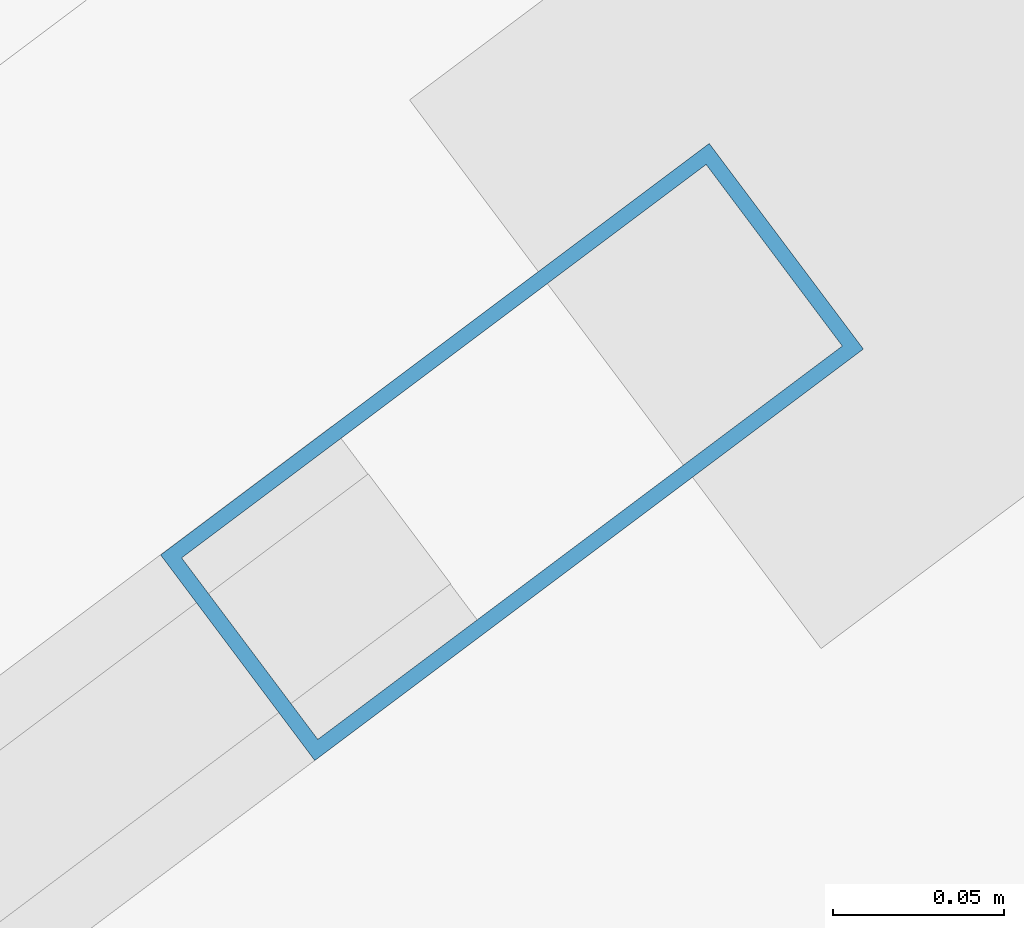
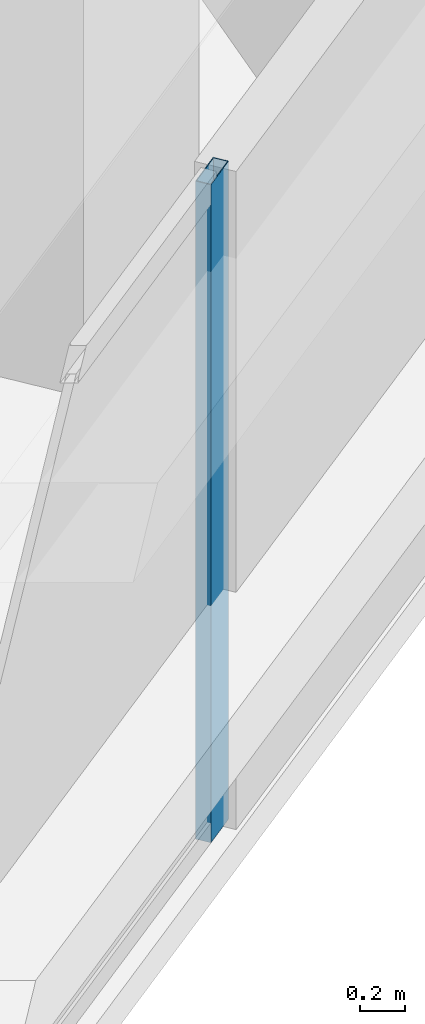
# One storey, part 26 of 44: 1 member, 1 element without a shape of its own.
"""IFC4 building model written with IfcOpenShell, lengths in metres."""

from ifc_helpers import new_model, si_unit, direction, frame, origin, origin_2d, place, context, subcontext, project, spatial, hollow_rectangle, extrude, material, material_profile, profile_set, type_object, element, aggregate, save


model = new_model("IFC4")

# Units and contexts
model_context = context("Model", 3, precision=1e-05, world=origin(), true_north=direction((0.0, 1.0)))
body_context = subcontext(model_context, "Body", "Model", "MODEL_VIEW")
ifc_project = project(units=[si_unit("LENGTHUNIT", "METRE"), si_unit("AREAUNIT", "SQUARE_METRE"), si_unit("VOLUMEUNIT", "CUBIC_METRE"), si_unit("PLANEANGLEUNIT", "RADIAN"), si_unit("MASSUNIT", "GRAM", prefix="KILO")], contexts=[model_context])

# Site, building, storey
site_placement = place(None, origin())
site = spatial("IfcSite", under=ifc_project, at=site_placement, CompositionType="ELEMENT")
building_placement = place(site_placement, origin())
building = spatial("IfcBuilding", under=site, at=building_placement, Name="Tashvorn Skyway Center", CompositionType="ELEMENT")
storey_placement = place(building_placement, frame((0.0, 0.0, 149.89990234375)))
storey = spatial("IfcBuildingStorey", under=building, at=storey_placement, Name="L40", CompositionType="ELEMENT", Elevation=149.89990234375)

# Curtain wall, member
ifc_material = material(Name="Thermally broken bronze-anodized aluminium 6063-T6", Category="aluminium")
curtain_wall_type = type_object("IfcCurtainWallType", Name="CW-CW-Z3", PredefinedType="NOTDEFINED", material=ifc_material)
curtain_wall_placement = place(storey_placement, origin())
curtain_wall = element("IfcCurtainWall", 1, at=curtain_wall_placement, inside=storey, type_object=curtain_wall_type, Name="Tower 2 L40 South Unitised Curtain Wall Glazing Group 1", PredefinedType="NOTDEFINED")
ifc_material_profile = material_profile(ifc_material, hollow_rectangle(XDim=0.074951171875, YDim=0.199951171875, WallThickness=0.00439453125, at=origin_2d()), Name="ALU-MULL-75x200")
ifc_profile_set = profile_set([ifc_material_profile], Name="Thermally broken bronze-anodized aluminium 6063-T6")
member_type = type_object("IfcMemberType", Name="CWM-CW-Z3", PredefinedType="MULLION", material=ifc_profile_set)
member_placement = place(storey_placement, frame((134.81884765625, 24.76416015625, 0.0), z_axis=(0.0, 0.0, 1.0), x_axis=(0.600004533995, -0.799996599484, 0.0)))
member = element("IfcMember", 2, at=member_placement, type_object=member_type, Name="CW-Z3 mullion 1", PredefinedType="MULLION", context=body_context, shape_type="SweptSolid", body=[
    extrude(hollow_rectangle(XDim=0.074951171875, YDim=0.199951171875, WallThickness=0.00439453125, at=origin_2d()), origin(), (0.0, 0.0, 1.0), 3.550048828125),
])
aggregate(curtain_wall, [member])

save(model, "model.ifc")
